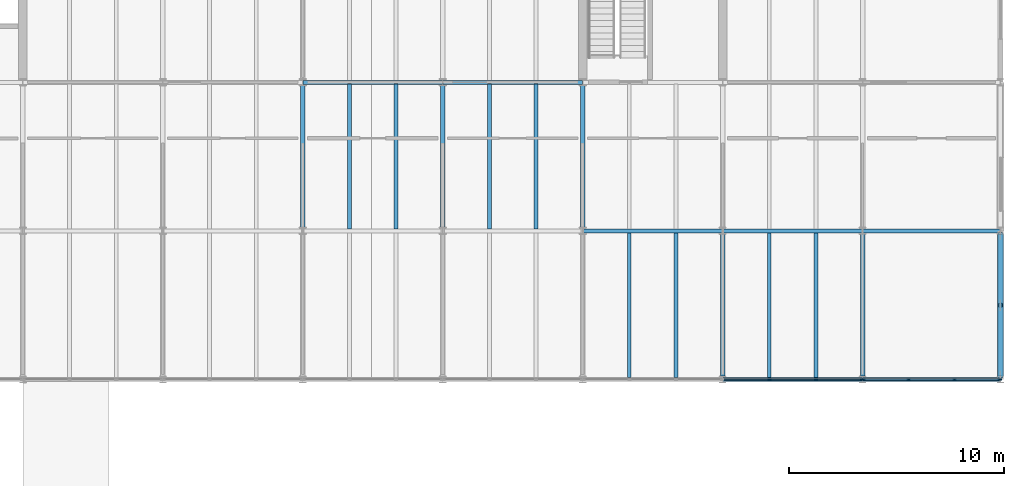
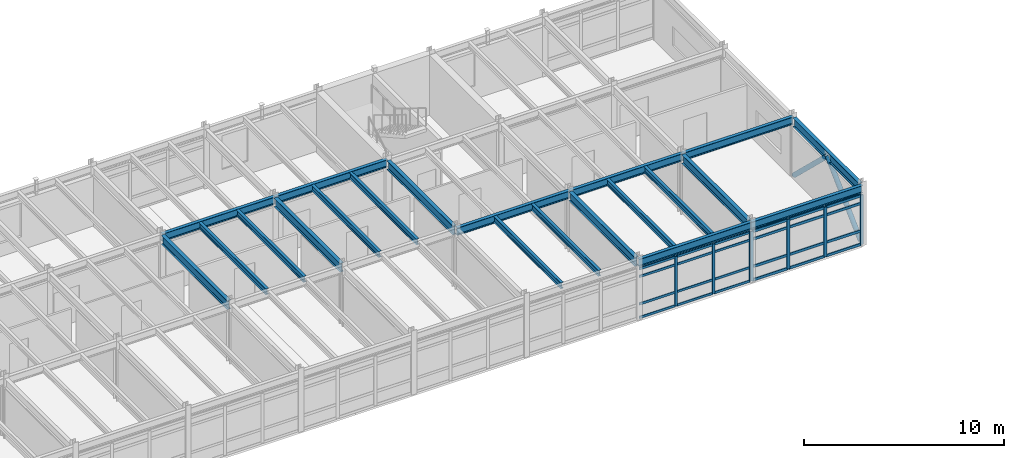
# One storey, part 27 of 49: 33 members, 21 beams, 2 elements without a shape of their own.
"""IFC4 building model written with IfcOpenShell, lengths in metres."""

from ifc_helpers import new_model, si_unit, direction, frame, origin, origin_2d, place, context, subcontext, project, spatial, rectangle, hollow_circle, i_section, extrude, material, layer, layer_set, material_profile, profile_set, type_object, element, aggregate, save


model = new_model("IFC4")

# Units and contexts
model_context = context("Model", 3, precision=1e-05, world=origin(), true_north=direction((0.0, 1.0)))
body_context = subcontext(model_context, "Body", "Model", "MODEL_VIEW")
ifc_project = project(units=[si_unit("LENGTHUNIT", "METRE"), si_unit("AREAUNIT", "SQUARE_METRE"), si_unit("VOLUMEUNIT", "CUBIC_METRE"), si_unit("PLANEANGLEUNIT", "RADIAN"), si_unit("MASSUNIT", "GRAM", prefix="KILO")], contexts=[model_context])

# Site, building, storey
site_placement = place(None, origin())
site = spatial("IfcSite", under=ifc_project, at=site_placement, CompositionType="ELEMENT")
building_placement = place(site_placement, origin())
building = spatial("IfcBuilding", under=site, at=building_placement, Name="Trelmorton Wharf Fire Station", CompositionType="ELEMENT")
storey_placement = place(building_placement, frame((0.0, 0.0, 9.60009765625)))
storey = spatial("IfcBuildingStorey", under=building, at=storey_placement, Name="L02", CompositionType="ELEMENT", Elevation=9.60009765625)

# Beams
ifc_material_1 = material(Name="Steel Grade 350", Category="steel")
ifc_material_profile_1 = material_profile(ifc_material_1, i_section(OverallWidth=0.19091796875, OverallDepth=0.4599609375, WebThickness=0.010009765625, FlangeThickness=0.01611328125, FilletRadius=0.011474609375, at=origin_2d()), Name="460UB82.1")
ifc_profile_set_1 = profile_set([ifc_material_profile_1], Name="Steel Grade 350")
beam_type_1 = type_object("IfcBeamType", Name="BM_460UB82", PredefinedType="BEAM", material=ifc_profile_set_1)
for number, where, z_axis, x_axis, name in (
    (1, (143.00390625, 67.199951171875, 3.39990234375), (1.0, 0.0, 0.0), (0.0, 1.0, 0.0), "BM-L02-0755"),
    (2, (149.50390625, 67.199951171875, 3.39990234375), (1.0, 0.0, 0.0), (0.0, 1.0, 0.0), "BM-L02-0756"),
):
    element("IfcBeam", number, at=place(storey_placement, frame(where, z_axis=z_axis, x_axis=x_axis)), inside=storey, type_object=beam_type_1, Name=name, PredefinedType="BEAM", context=body_context, shape_type="SweptSolid", body=[
        extrude(i_section(OverallWidth=0.19091796875, OverallDepth=0.4599609375, WebThickness=0.010009765625, FlangeThickness=0.01611328125, FilletRadius=0.011474609375, at=origin_2d()), origin(), (0.0, 0.0, 1.0), 6.4921875),
    ])
beam_1_placement = place(storey_placement, frame((156.00390625, 67.199951171875, 3.39990234375), z_axis=(1.0, 0.0, 0.0), x_axis=(0.0, 1.0, 0.0)))
element("IfcBeam", 3, at=beam_1_placement, inside=storey, type_object=beam_type_1, Name="BM-L02-0757", PredefinedType="BEAM", context=body_context, shape_type="SweptSolid", body=[
    extrude(i_section(OverallWidth=0.19091796875, OverallDepth=0.4599609375, WebThickness=0.010009765625, FlangeThickness=0.01611328125, FilletRadius=0.011474609375, at=origin_2d()), origin(), (0.0, 0.0, 1.0), 6.39208984375),
])
for number, where, z_axis, x_axis, name in (
    (4, (130.00390625, 74.10009765625, 3.39990234375), (1.0, 0.0, 0.0), (0.0, 1.0, 0.0), "BM-L02-0766"),
    (5, (136.50390625, 74.10009765625, 3.39990234375), (1.0, 0.0, 0.0), (0.0, 1.0, 0.0), "BM-L02-0767"),
):
    element("IfcBeam", number, at=place(storey_placement, frame(where, z_axis=z_axis, x_axis=x_axis)), inside=storey, type_object=beam_type_1, Name=name, PredefinedType="BEAM", context=body_context, shape_type="SweptSolid", body=[
        extrude(i_section(OverallWidth=0.19091796875, OverallDepth=0.4599609375, WebThickness=0.010009765625, FlangeThickness=0.01611328125, FilletRadius=0.011474609375, at=origin_2d()), origin(), (0.0, 0.0, 1.0), 6.4921875),
    ])
ifc_material_profile_2 = material_profile(ifc_material_1, i_section(OverallWidth=0.208984375, OverallDepth=0.532958984375, WebThickness=0.01025390625, FlangeThickness=0.015625, FilletRadius=0.013916015625, at=origin_2d()), Name="530UB92.4")
ifc_profile_set_2 = profile_set([ifc_material_profile_2], Name="Steel Grade 350")
beam_type_2 = type_object("IfcBeamType", Name="BM_530UB92", PredefinedType="BEAM", material=ifc_profile_set_2)
for number, where, z_axis, x_axis, name in (
    (6, (130.0, 67.353515625, 3.36328125), (0.0, 1.0, 0.0), (-1.0, 0.0, 0.0), "BM-L02-0841"),
    (7, (136.5, 67.353515625, 3.36328125), (0.0, 1.0, 0.0), (-1.0, 0.0, 0.0), "BM-L02-0847"),
    (8, (143.0, 67.353515625, 3.36328125), (0.0, 1.0, 0.0), (-1.0, 0.0, 0.0), "BM-L02-0853"),
):
    element("IfcBeam", number, at=place(storey_placement, frame(where, z_axis=z_axis, x_axis=x_axis)), inside=storey, type_object=beam_type_2, Name=name, PredefinedType="BEAM", context=body_context, shape_type="SweptSolid", body=[
        extrude(i_section(OverallWidth=0.208984375, OverallDepth=0.532958984375, WebThickness=0.01025390625, FlangeThickness=0.015625, FilletRadius=0.013916015625, at=origin_2d()), origin(), (0.0, 0.0, 1.0), 6.593017578125),
    ])
for number, where, z_axis, x_axis, name in (
    (9, (149.5, 60.45361328125, 3.36328125), (0.0, 1.0, 0.0), (-1.0, 0.0, 0.0), "BM-L02-0858"),
    (10, (156.0, 60.45361328125, 3.36328125), (0.0, 1.0, 0.0), (-1.0, 0.0, 0.0), "BM-L02-0864"),
    (11, (162.39990234375, 60.45361328125, 3.36328125), (0.0, 1.0, 0.0), (-1.0, 0.0, 0.0), "BM-L02-0870"),
):
    element("IfcBeam", number, at=place(storey_placement, frame(where, z_axis=z_axis, x_axis=x_axis)), inside=storey, type_object=beam_type_2, Name=name, PredefinedType="BEAM", context=body_context, shape_type="SweptSolid", body=[
        extrude(i_section(OverallWidth=0.208984375, OverallDepth=0.532958984375, WebThickness=0.01025390625, FlangeThickness=0.015625, FilletRadius=0.013916015625, at=origin_2d()), origin(), (0.0, 0.0, 1.0), 6.5927734375),
    ])

# Members
ifc_material_2 = material(Name="Steel C350L0 (350 MPa)", Category="steel")
ifc_material_profile_3 = material_profile(ifc_material_2, hollow_circle(Radius=0.136474609375, WallThickness=0.00927734375, at=origin_2d()), Name="273.1x9.3CHS")
ifc_profile_set_3 = profile_set([ifc_material_profile_3], Name="Steel C350L0 (350 MPa)")
member_type_1 = type_object("IfcMemberType", Name="BR_273CHS", PredefinedType="BRACE", material=ifc_profile_set_3)
for number, where, z_axis, x_axis, name in (
    (12, (162.39990234375, 60.45458984375, 0.119873046875), (0.0, 0.721790056105, 0.692112068171), (-1.0, 0.0, 0.0), "CBF-V4-E-L02-A"),
    (13, (162.39990234375, 67.04541015625, 0.119873046875), (0.0, -0.721790056105, 0.692112068171), (1.0, 0.0, 0.0), "CBF-V4-E-L02-B"),
):
    element("IfcMember", number, at=place(storey_placement, frame(where, z_axis=z_axis, x_axis=x_axis)), inside=storey, type_object=member_type_1, Name=name, PredefinedType="BRACE", context=body_context, shape_type="SweptSolid", body=[
        extrude(hollow_circle(Radius=0.136474609375, WallThickness=0.00927734375, at=origin_2d()), origin(), (0.0, 0.0, 1.0), 4.565673828125),
    ])

# Curtain wall, members
ifc_material_3 = material(Name="Anodised aluminium AW-6063", Category="aluminium")
ifc_layer = layer(ifc_material_3, 0.175048828125)
ifc_layer_set = layer_set([ifc_layer], Name="Anodised aluminium AW-6063")
curtain_wall_type = type_object("IfcCurtainWallType", Name="CW_CHIC_B", PredefinedType="USERDEFINED", material=ifc_layer_set)
curtain_wall_1_placement = place(storey_placement, origin())
curtain_wall_1 = element("IfcCurtainWall", 14, at=curtain_wall_1_placement, inside=storey, type_object=curtain_wall_type, Name="CW-V4-L02-137", ObjectType="CHICAGO BAY CURTAIN WALL", PredefinedType="USERDEFINED")
ifc_material_profile_4 = material_profile(ifc_material_3, rectangle(XDim=0.06494140625, YDim=0.159912109375, at=origin_2d()), Name="ALU-65x160")
ifc_profile_set_4 = profile_set([ifc_material_profile_4], Name="Anodised aluminium AW-6063")
member_type_2 = type_object("IfcMemberType", Name="CWM_65x160", PredefinedType="MULLION", material=ifc_profile_set_4)
member_1_placement = place(storey_placement, frame((155.965087890625, 60.300048828125, 0.0), z_axis=(0.0, 0.0, 1.0), x_axis=(0.0, -1.0, 0.0)))
member_1 = element("IfcMember", 15, at=member_1_placement, type_object=member_type_2, Name="CW2 mullion 1", PredefinedType="MULLION", context=body_context, shape_type="SweptSolid", body=[
    extrude(rectangle(XDim=0.06494140625, YDim=0.159912109375, at=origin_2d()), origin(), (0.0, 0.0, 1.0), 3.02001953125),
])
member_2_placement = place(storey_placement, frame((153.831787109375, 60.300048828125, 0.0), z_axis=(0.0, 0.0, 1.0), x_axis=(0.0, -1.0, 0.0)))
member_2 = element("IfcMember", 16, at=member_2_placement, type_object=member_type_2, Name="CW2 mullion 2", PredefinedType="MULLION", context=body_context, shape_type="SweptSolid", body=[
    extrude(rectangle(XDim=0.06494140625, YDim=0.159912109375, at=origin_2d()), origin(), (0.0, 0.0, 1.0), 3.02001953125),
])
member_3_placement = place(storey_placement, frame((151.668212890625, 60.300048828125, 0.0), z_axis=(0.0, 0.0, 1.0), x_axis=(0.0, -1.0, 0.0)))
member_3 = element("IfcMember", 17, at=member_3_placement, type_object=member_type_2, Name="CW2 mullion 3", PredefinedType="MULLION", context=body_context, shape_type="SweptSolid", body=[
    extrude(rectangle(XDim=0.06494140625, YDim=0.159912109375, at=origin_2d()), origin(), (0.0, 0.0, 1.0), 3.02001953125),
])

curtain_wall_2_placement = place(storey_placement, origin())
curtain_wall_2 = element("IfcCurtainWall", 18, at=curtain_wall_2_placement, inside=storey, type_object=curtain_wall_type, Name="CW-V4-L02-138", ObjectType="CHICAGO BAY CURTAIN WALL", PredefinedType="USERDEFINED")
ifc_material_profile_5 = material_profile(ifc_material_3, rectangle(XDim=0.074951171875, YDim=0.175048828125, at=origin_2d()), Name="ALU-75x175")
ifc_profile_set_5 = profile_set([ifc_material_profile_5], Name="Anodised aluminium AW-6063")
member_type_3 = type_object("IfcMemberType", Name="CWM_75x175", PredefinedType="MULLION", material=ifc_profile_set_5)
member_4_placement = place(storey_placement, frame((162.364990234375, 60.300048828125, 0.0), z_axis=(0.0, 0.0, 1.0), x_axis=(0.0, -1.0, 0.0)))
member_4 = element("IfcMember", 19, at=member_4_placement, type_object=member_type_3, Name="CW2 mullion 1", PredefinedType="MULLION", context=body_context, shape_type="SweptSolid", body=[
    extrude(rectangle(XDim=0.074951171875, YDim=0.175048828125, at=origin_2d()), origin(), (0.0, 0.0, 1.0), 3.02001953125),
])
member_5_placement = place(storey_placement, frame((160.264892578125, 60.300048828125, 0.0), z_axis=(0.0, 0.0, 1.0), x_axis=(0.0, -1.0, 0.0)))
member_5 = element("IfcMember", 20, at=member_5_placement, type_object=member_type_3, Name="CW2 mullion 2", PredefinedType="MULLION", context=body_context, shape_type="SweptSolid", body=[
    extrude(rectangle(XDim=0.074951171875, YDim=0.175048828125, at=origin_2d()), origin(), (0.0, 0.0, 1.0), 3.02001953125),
])
member_6_placement = place(storey_placement, frame((158.135009765625, 60.300048828125, 0.0), z_axis=(0.0, 0.0, 1.0), x_axis=(0.0, -1.0, 0.0)))
member_6 = element("IfcMember", 21, at=member_6_placement, type_object=member_type_3, Name="CW2 mullion 3", PredefinedType="MULLION", context=body_context, shape_type="SweptSolid", body=[
    extrude(rectangle(XDim=0.074951171875, YDim=0.175048828125, at=origin_2d()), origin(), (0.0, 0.0, 1.0), 3.02001953125),
])
member_7_placement = place(storey_placement, frame((156.034912109375, 60.300048828125, 0.0), z_axis=(0.0, 0.0, 1.0), x_axis=(0.0, -1.0, 0.0)))
member_7 = element("IfcMember", 22, at=member_7_placement, type_object=member_type_3, Name="CW2 mullion 4", PredefinedType="MULLION", context=body_context, shape_type="SweptSolid", body=[
    extrude(rectangle(XDim=0.074951171875, YDim=0.175048828125, at=origin_2d()), origin(), (0.0, 0.0, 1.0), 3.02001953125),
])

# Member
ifc_material_profile_6 = material_profile(ifc_material_3, rectangle(XDim=0.06494140625, YDim=0.139892578125, at=origin_2d()), Name="ALU-65x140")
ifc_profile_set_6 = profile_set([ifc_material_profile_6], Name="Anodised aluminium AW-6063")
member_type_4 = type_object("IfcMemberType", Name="CWT_65x140", PredefinedType="USERDEFINED", material=ifc_profile_set_6)
member_8_placement = place(storey_placement, frame((155.93505859375, 60.300048828125, 0.02978515625), z_axis=(-1.0, 0.0, 0.0), x_axis=(0.0, -1.0, 0.0)))
member_8 = element("IfcMember", 23, at=member_8_placement, type_object=member_type_4, Name="CW2 transom 1.1", ObjectType="TRANSOM", PredefinedType="USERDEFINED", context=body_context, shape_type="SweptSolid", body=[
    extrude(rectangle(XDim=0.06494140625, YDim=0.139892578125, at=origin_2d()), origin(), (0.0, 0.0, 1.0), 2.073486328125),
])

member_9_placement = place(storey_placement, frame((155.93505859375, 60.300048828125, 0.849853515625), z_axis=(-1.0, 0.0, 0.0), x_axis=(0.0, -1.0, 0.0)))
member_9 = element("IfcMember", 24, at=member_9_placement, type_object=member_type_4, Name="CW2 transom 1.2", ObjectType="TRANSOM", PredefinedType="USERDEFINED", context=body_context, shape_type="SweptSolid", body=[
    extrude(rectangle(XDim=0.06494140625, YDim=0.139892578125, at=origin_2d()), origin(), (0.0, 0.0, 1.0), 2.073486328125),
])

member_10_placement = place(storey_placement, frame((155.93505859375, 60.300048828125, 2.52001953125), z_axis=(-1.0, 0.0, 0.0), x_axis=(0.0, -1.0, 0.0)))
member_10 = element("IfcMember", 25, at=member_10_placement, type_object=member_type_4, Name="CW2 transom 1.3", ObjectType="TRANSOM", PredefinedType="USERDEFINED", context=body_context, shape_type="SweptSolid", body=[
    extrude(rectangle(XDim=0.06494140625, YDim=0.139892578125, at=origin_2d()), origin(), (0.0, 0.0, 1.0), 2.073486328125),
])

member_11_placement = place(storey_placement, frame((155.93505859375, 60.300048828125, 2.989990234375), z_axis=(-1.0, 0.0, 0.0), x_axis=(0.0, -1.0, 0.0)))
member_11 = element("IfcMember", 26, at=member_11_placement, type_object=member_type_4, Name="CW2 transom 1.4", ObjectType="TRANSOM", PredefinedType="USERDEFINED", context=body_context, shape_type="SweptSolid", body=[
    extrude(rectangle(XDim=0.06494140625, YDim=0.139892578125, at=origin_2d()), origin(), (0.0, 0.0, 1.0), 2.073486328125),
])

member_12_placement = place(storey_placement, frame((153.8017578125, 60.300048828125, 0.02978515625), z_axis=(-1.0, 0.0, 0.0), x_axis=(0.0, -1.0, 0.0)))
member_12 = element("IfcMember", 27, at=member_12_placement, type_object=member_type_4, Name="CW2 transom 2.1", ObjectType="TRANSOM", PredefinedType="USERDEFINED", context=body_context, shape_type="SweptSolid", body=[
    extrude(rectangle(XDim=0.06494140625, YDim=0.139892578125, at=origin_2d()), origin(), (0.0, 0.0, 1.0), 2.103515625),
])

member_13_placement = place(storey_placement, frame((153.8017578125, 60.300048828125, 0.849853515625), z_axis=(-1.0, 0.0, 0.0), x_axis=(0.0, -1.0, 0.0)))
member_13 = element("IfcMember", 28, at=member_13_placement, type_object=member_type_4, Name="CW2 transom 2.2", ObjectType="TRANSOM", PredefinedType="USERDEFINED", context=body_context, shape_type="SweptSolid", body=[
    extrude(rectangle(XDim=0.06494140625, YDim=0.139892578125, at=origin_2d()), origin(), (0.0, 0.0, 1.0), 2.103515625),
])

member_14_placement = place(storey_placement, frame((153.8017578125, 60.300048828125, 2.52001953125), z_axis=(-1.0, 0.0, 0.0), x_axis=(0.0, -1.0, 0.0)))
member_14 = element("IfcMember", 29, at=member_14_placement, type_object=member_type_4, Name="CW2 transom 2.3", ObjectType="TRANSOM", PredefinedType="USERDEFINED", context=body_context, shape_type="SweptSolid", body=[
    extrude(rectangle(XDim=0.06494140625, YDim=0.139892578125, at=origin_2d()), origin(), (0.0, 0.0, 1.0), 2.103515625),
])

member_15_placement = place(storey_placement, frame((153.8017578125, 60.300048828125, 2.989990234375), z_axis=(-1.0, 0.0, 0.0), x_axis=(0.0, -1.0, 0.0)))
member_15 = element("IfcMember", 30, at=member_15_placement, type_object=member_type_4, Name="CW2 transom 2.4", ObjectType="TRANSOM", PredefinedType="USERDEFINED", context=body_context, shape_type="SweptSolid", body=[
    extrude(rectangle(XDim=0.06494140625, YDim=0.139892578125, at=origin_2d()), origin(), (0.0, 0.0, 1.0), 2.103515625),
])

member_16_placement = place(storey_placement, frame((151.638427734375, 60.300048828125, 0.02978515625), z_axis=(-1.0, 0.0, 0.0), x_axis=(0.0, -1.0, 0.0)))
member_16 = element("IfcMember", 31, at=member_16_placement, type_object=member_type_4, Name="CW2 transom 3.1", ObjectType="TRANSOM", PredefinedType="USERDEFINED", context=body_context, shape_type="SweptSolid", body=[
    extrude(rectangle(XDim=0.06494140625, YDim=0.139892578125, at=origin_2d()), origin(), (0.0, 0.0, 1.0), 2.073486328125),
])

member_17_placement = place(storey_placement, frame((151.638427734375, 60.300048828125, 0.849853515625), z_axis=(-1.0, 0.0, 0.0), x_axis=(0.0, -1.0, 0.0)))
member_17 = element("IfcMember", 32, at=member_17_placement, type_object=member_type_4, Name="CW2 transom 3.2", ObjectType="TRANSOM", PredefinedType="USERDEFINED", context=body_context, shape_type="SweptSolid", body=[
    extrude(rectangle(XDim=0.06494140625, YDim=0.139892578125, at=origin_2d()), origin(), (0.0, 0.0, 1.0), 2.073486328125),
])

member_18_placement = place(storey_placement, frame((151.638427734375, 60.300048828125, 2.52001953125), z_axis=(-1.0, 0.0, 0.0), x_axis=(0.0, -1.0, 0.0)))
member_18 = element("IfcMember", 33, at=member_18_placement, type_object=member_type_4, Name="CW2 transom 3.3", ObjectType="TRANSOM", PredefinedType="USERDEFINED", context=body_context, shape_type="SweptSolid", body=[
    extrude(rectangle(XDim=0.06494140625, YDim=0.139892578125, at=origin_2d()), origin(), (0.0, 0.0, 1.0), 2.073486328125),
])

member_19_placement = place(storey_placement, frame((151.638427734375, 60.300048828125, 2.989990234375), z_axis=(-1.0, 0.0, 0.0), x_axis=(0.0, -1.0, 0.0)))
member_19 = element("IfcMember", 34, at=member_19_placement, type_object=member_type_4, Name="CW2 transom 3.4", ObjectType="TRANSOM", PredefinedType="USERDEFINED", context=body_context, shape_type="SweptSolid", body=[
    extrude(rectangle(XDim=0.06494140625, YDim=0.139892578125, at=origin_2d()), origin(), (0.0, 0.0, 1.0), 2.073486328125),
])

aggregate(curtain_wall_1, [member_1, member_2, member_3, member_8, member_9, member_10, member_11, member_12, member_13, member_14, member_15, member_16, member_17, member_18, member_19])

ifc_material_profile_7 = material_profile(ifc_material_3, rectangle(XDim=0.074951171875, YDim=0.155029296875, at=origin_2d()), Name="ALU-75x155")
ifc_profile_set_7 = profile_set([ifc_material_profile_7], Name="Anodised aluminium AW-6063")
member_type_5 = type_object("IfcMemberType", Name="CWT_75x155", PredefinedType="USERDEFINED", material=ifc_profile_set_7)
member_20_placement = place(storey_placement, frame((162.3349609375, 60.300048828125, 0.02978515625), z_axis=(-1.0, 0.0, 0.0), x_axis=(0.0, -1.0, 0.0)))
member_20 = element("IfcMember", 35, at=member_20_placement, type_object=member_type_5, Name="CW2 transom 1.1", ObjectType="TRANSOM", PredefinedType="USERDEFINED", context=body_context, shape_type="SweptSolid", body=[
    extrude(rectangle(XDim=0.074951171875, YDim=0.155029296875, at=origin_2d()), origin(), (0.0, 0.0, 1.0), 2.0400390625),
])

member_21_placement = place(storey_placement, frame((162.3349609375, 60.300048828125, 0.849853515625), z_axis=(-1.0, 0.0, 0.0), x_axis=(0.0, -1.0, 0.0)))
member_21 = element("IfcMember", 36, at=member_21_placement, type_object=member_type_5, Name="CW2 transom 1.2", ObjectType="TRANSOM", PredefinedType="USERDEFINED", context=body_context, shape_type="SweptSolid", body=[
    extrude(rectangle(XDim=0.074951171875, YDim=0.155029296875, at=origin_2d()), origin(), (0.0, 0.0, 1.0), 2.0400390625),
])

member_22_placement = place(storey_placement, frame((162.3349609375, 60.300048828125, 2.52001953125), z_axis=(-1.0, 0.0, 0.0), x_axis=(0.0, -1.0, 0.0)))
member_22 = element("IfcMember", 37, at=member_22_placement, type_object=member_type_5, Name="CW2 transom 1.3", ObjectType="TRANSOM", PredefinedType="USERDEFINED", context=body_context, shape_type="SweptSolid", body=[
    extrude(rectangle(XDim=0.074951171875, YDim=0.155029296875, at=origin_2d()), origin(), (0.0, 0.0, 1.0), 2.0400390625),
])

member_23_placement = place(storey_placement, frame((162.3349609375, 60.300048828125, 2.989990234375), z_axis=(-1.0, 0.0, 0.0), x_axis=(0.0, -1.0, 0.0)))
member_23 = element("IfcMember", 38, at=member_23_placement, type_object=member_type_5, Name="CW2 transom 1.4", ObjectType="TRANSOM", PredefinedType="USERDEFINED", context=body_context, shape_type="SweptSolid", body=[
    extrude(rectangle(XDim=0.074951171875, YDim=0.155029296875, at=origin_2d()), origin(), (0.0, 0.0, 1.0), 2.0400390625),
])

member_24_placement = place(storey_placement, frame((160.235107421875, 60.300048828125, 0.02978515625), z_axis=(-1.0, 0.0, 0.0), x_axis=(0.0, -1.0, 0.0)))
member_24 = element("IfcMember", 39, at=member_24_placement, type_object=member_type_5, Name="CW2 transom 2.1", ObjectType="TRANSOM", PredefinedType="USERDEFINED", context=body_context, shape_type="SweptSolid", body=[
    extrude(rectangle(XDim=0.074951171875, YDim=0.155029296875, at=origin_2d()), origin(), (0.0, 0.0, 1.0), 2.070068359375),
])

member_25_placement = place(storey_placement, frame((160.235107421875, 60.300048828125, 0.849853515625), z_axis=(-1.0, 0.0, 0.0), x_axis=(0.0, -1.0, 0.0)))
member_25 = element("IfcMember", 40, at=member_25_placement, type_object=member_type_5, Name="CW2 transom 2.2", ObjectType="TRANSOM", PredefinedType="USERDEFINED", context=body_context, shape_type="SweptSolid", body=[
    extrude(rectangle(XDim=0.074951171875, YDim=0.155029296875, at=origin_2d()), origin(), (0.0, 0.0, 1.0), 2.070068359375),
])

member_26_placement = place(storey_placement, frame((160.235107421875, 60.300048828125, 2.52001953125), z_axis=(-1.0, 0.0, 0.0), x_axis=(0.0, -1.0, 0.0)))
member_26 = element("IfcMember", 41, at=member_26_placement, type_object=member_type_5, Name="CW2 transom 2.3", ObjectType="TRANSOM", PredefinedType="USERDEFINED", context=body_context, shape_type="SweptSolid", body=[
    extrude(rectangle(XDim=0.074951171875, YDim=0.155029296875, at=origin_2d()), origin(), (0.0, 0.0, 1.0), 2.070068359375),
])

member_27_placement = place(storey_placement, frame((160.235107421875, 60.300048828125, 2.989990234375), z_axis=(-1.0, 0.0, 0.0), x_axis=(0.0, -1.0, 0.0)))
member_27 = element("IfcMember", 42, at=member_27_placement, type_object=member_type_5, Name="CW2 transom 2.4", ObjectType="TRANSOM", PredefinedType="USERDEFINED", context=body_context, shape_type="SweptSolid", body=[
    extrude(rectangle(XDim=0.074951171875, YDim=0.155029296875, at=origin_2d()), origin(), (0.0, 0.0, 1.0), 2.070068359375),
])

member_28_placement = place(storey_placement, frame((158.10498046875, 60.300048828125, 0.02978515625), z_axis=(-1.0, 0.0, 0.0), x_axis=(0.0, -1.0, 0.0)))
member_28 = element("IfcMember", 43, at=member_28_placement, type_object=member_type_5, Name="CW2 transom 3.1", ObjectType="TRANSOM", PredefinedType="USERDEFINED", context=body_context, shape_type="SweptSolid", body=[
    extrude(rectangle(XDim=0.074951171875, YDim=0.155029296875, at=origin_2d()), origin(), (0.0, 0.0, 1.0), 2.0400390625),
])

member_29_placement = place(storey_placement, frame((158.10498046875, 60.300048828125, 0.849853515625), z_axis=(-1.0, 0.0, 0.0), x_axis=(0.0, -1.0, 0.0)))
member_29 = element("IfcMember", 44, at=member_29_placement, type_object=member_type_5, Name="CW2 transom 3.2", ObjectType="TRANSOM", PredefinedType="USERDEFINED", context=body_context, shape_type="SweptSolid", body=[
    extrude(rectangle(XDim=0.074951171875, YDim=0.155029296875, at=origin_2d()), origin(), (0.0, 0.0, 1.0), 2.0400390625),
])

member_30_placement = place(storey_placement, frame((158.10498046875, 60.300048828125, 2.52001953125), z_axis=(-1.0, 0.0, 0.0), x_axis=(0.0, -1.0, 0.0)))
member_30 = element("IfcMember", 45, at=member_30_placement, type_object=member_type_5, Name="CW2 transom 3.3", ObjectType="TRANSOM", PredefinedType="USERDEFINED", context=body_context, shape_type="SweptSolid", body=[
    extrude(rectangle(XDim=0.074951171875, YDim=0.155029296875, at=origin_2d()), origin(), (0.0, 0.0, 1.0), 2.0400390625),
])

member_31_placement = place(storey_placement, frame((158.10498046875, 60.300048828125, 2.989990234375), z_axis=(-1.0, 0.0, 0.0), x_axis=(0.0, -1.0, 0.0)))
member_31 = element("IfcMember", 46, at=member_31_placement, type_object=member_type_5, Name="CW2 transom 3.4", ObjectType="TRANSOM", PredefinedType="USERDEFINED", context=body_context, shape_type="SweptSolid", body=[
    extrude(rectangle(XDim=0.074951171875, YDim=0.155029296875, at=origin_2d()), origin(), (0.0, 0.0, 1.0), 2.0400390625),
])

aggregate(curtain_wall_2, [member_4, member_5, member_6, member_7, member_20, member_21, member_22, member_23, member_24, member_25, member_26, member_27, member_28, member_29, member_30, member_31])

# Beams
ifc_material_profile_8 = material_profile(ifc_material_1, i_section(OverallWidth=0.172119140625, OverallDepth=0.35888671875, WebThickness=0.008056640625, FlangeThickness=0.012939453125, FilletRadius=0.011474609375, at=origin_2d()), Name="360UB56.7")
ifc_profile_set_8 = profile_set([ifc_material_profile_8], Name="Steel Grade 350")
beam_type_3 = type_object("IfcBeamType", Name="JS_360UB57", PredefinedType="JOIST", material=ifc_profile_set_8)
for number, where, z_axis, x_axis, name in (
    (47, (132.166748046875, 67.2900390625, 3.450439453125), (0.0, 1.0, 0.0), (-1.0, 0.0, 0.0), "JS-L02-0287"),
    (48, (134.333251953125, 67.2900390625, 3.450439453125), (0.0, 1.0, 0.0), (-1.0, 0.0, 0.0), "JS-L02-0288"),
    (49, (138.666748046875, 67.2900390625, 3.450439453125), (0.0, 1.0, 0.0), (-1.0, 0.0, 0.0), "JS-L02-0299"),
    (50, (140.833251953125, 67.2900390625, 3.450439453125), (0.0, 1.0, 0.0), (-1.0, 0.0, 0.0), "JS-L02-0300"),
):
    element("IfcBeam", number, at=place(storey_placement, frame(where, z_axis=z_axis, x_axis=x_axis)), inside=storey, type_object=beam_type_3, Name=name, PredefinedType="JOIST", context=body_context, shape_type="SweptSolid", body=[
        extrude(i_section(OverallWidth=0.172119140625, OverallDepth=0.35888671875, WebThickness=0.008056640625, FlangeThickness=0.012939453125, FilletRadius=0.011474609375, at=origin_2d()), origin(), (0.0, 0.0, 1.0), 6.719970703125),
    ])
for number, where, z_axis, x_axis, name in (
    (51, (145.166748046875, 60.389892578125, 3.450439453125), (0.0, 1.0, 0.0), (-1.0, 0.0, 0.0), "JS-L02-0307"),
    (52, (147.333251953125, 60.389892578125, 3.450439453125), (0.0, 1.0, 0.0), (-1.0, 0.0, 0.0), "JS-L02-0308"),
    (53, (151.666748046875, 60.389892578125, 3.450439453125), (0.0, 1.0, 0.0), (-1.0, 0.0, 0.0), "JS-L02-0317"),
    (54, (153.833251953125, 60.389892578125, 3.450439453125), (0.0, 1.0, 0.0), (-1.0, 0.0, 0.0), "JS-L02-0318"),
):
    element("IfcBeam", number, at=place(storey_placement, frame(where, z_axis=z_axis, x_axis=x_axis)), inside=storey, type_object=beam_type_3, Name=name, PredefinedType="JOIST", context=body_context, shape_type="SweptSolid", body=[
        extrude(i_section(OverallWidth=0.172119140625, OverallDepth=0.35888671875, WebThickness=0.008056640625, FlangeThickness=0.012939453125, FilletRadius=0.011474609375, at=origin_2d()), origin(), (0.0, 0.0, 1.0), 6.72021484375),
    ])
ifc_material_profile_9 = material_profile(ifc_material_1, i_section(OverallWidth=0.18994140625, OverallDepth=0.45703125, WebThickness=0.009033203125, FlangeThickness=0.014404296875, FilletRadius=0.011474609375, at=origin_2d()), Name="460UB74.6")
ifc_profile_set_9 = profile_set([ifc_material_profile_9], Name="Steel Grade 350")
beam_type_4 = type_object("IfcBeamType", Name="SP_460UB75", PredefinedType="SPANDREL", material=ifc_profile_set_9)
beam_2_placement = place(storey_placement, frame((149.50390625, 60.300048828125, 3.4013671875), z_axis=(1.0, 0.0, 0.0), x_axis=(0.0, 1.0, 0.0)))
element("IfcBeam", 55, at=beam_2_placement, inside=storey, type_object=beam_type_4, Name="BM-L02-0743", PredefinedType="SPANDREL", context=body_context, shape_type="SweptSolid", body=[
    extrude(i_section(OverallWidth=0.18994140625, OverallDepth=0.45703125, WebThickness=0.009033203125, FlangeThickness=0.014404296875, FilletRadius=0.011474609375, at=origin_2d()), origin(), (0.0, 0.0, 1.0), 6.4921875),
])
beam_3_placement = place(storey_placement, frame((156.00390625, 60.300048828125, 3.4013671875), z_axis=(1.0, 0.0, 0.0), x_axis=(0.0, 1.0, 0.0)))
element("IfcBeam", 56, at=beam_3_placement, inside=storey, type_object=beam_type_4, Name="BM-L02-0744", PredefinedType="SPANDREL", context=body_context, shape_type="SweptSolid", body=[
    extrude(i_section(OverallWidth=0.18994140625, OverallDepth=0.45703125, WebThickness=0.009033203125, FlangeThickness=0.014404296875, FilletRadius=0.011474609375, at=origin_2d()), origin(), (0.0, 0.0, 1.0), 6.39208984375),
])

save(model, "model.ifc")
